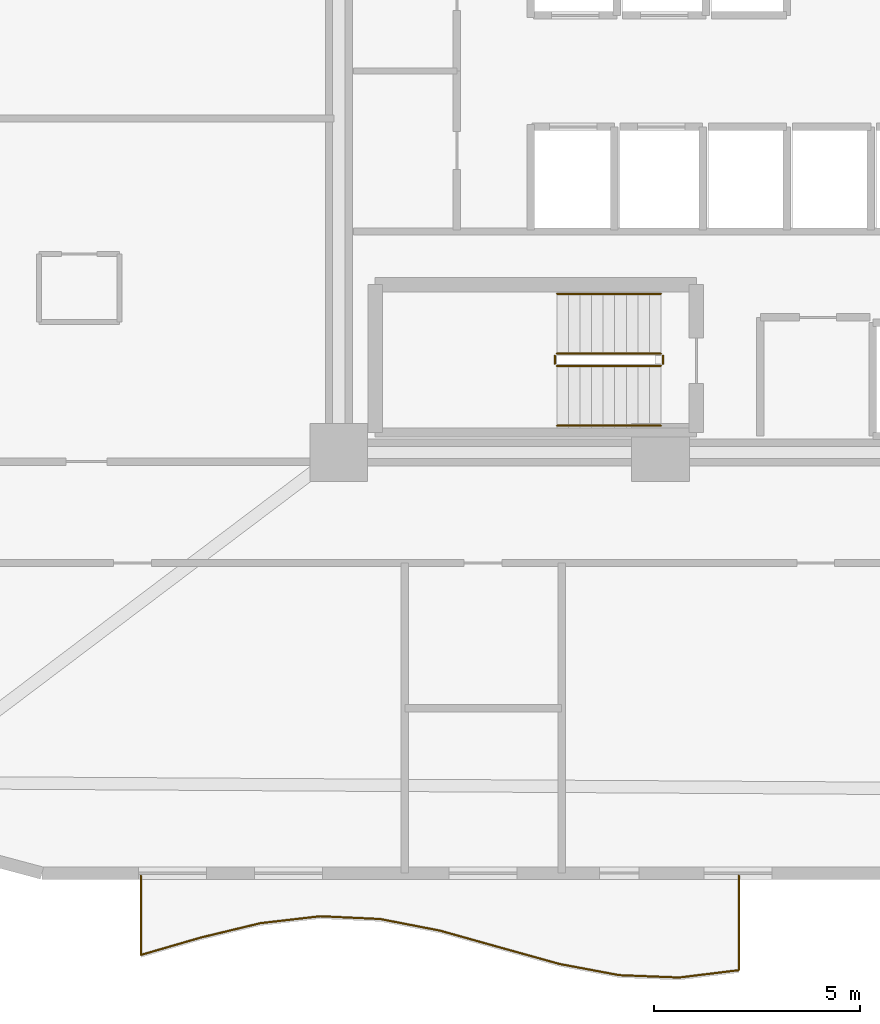
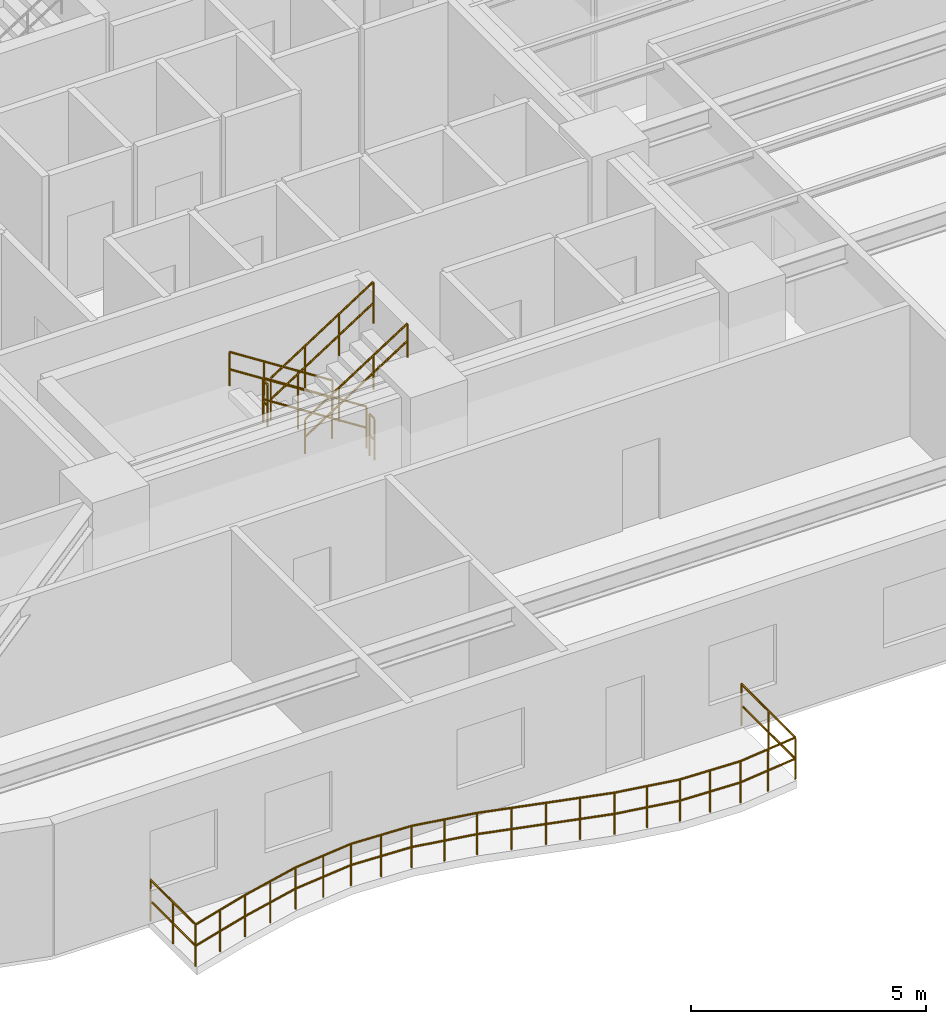
# One storey, part 12 of 14: 7 railings.
"""IFC4 building model written with IfcOpenShell, lengths in metres."""

from ifc_helpers import new_model, si_unit, direction, frame, origin, origin_2d, place, context, subcontext, project, spatial, circle, extrude, material, type_object, element, save


model = new_model("IFC4")

# Units and contexts
model_context = context("Model", 3, precision=1e-05, world=origin(), true_north=direction((0.0, 1.0)))
body_context = subcontext(model_context, "Body", "Model", "MODEL_VIEW")
ifc_project = project(units=[si_unit("LENGTHUNIT", "METRE"), si_unit("AREAUNIT", "SQUARE_METRE"), si_unit("VOLUMEUNIT", "CUBIC_METRE"), si_unit("PLANEANGLEUNIT", "RADIAN"), si_unit("MASSUNIT", "GRAM", prefix="KILO")], contexts=[model_context])

# Site, building, storey
site_placement = place(None, origin())
site = spatial("IfcSite", under=ifc_project, at=site_placement, CompositionType="ELEMENT")
building_placement = place(site_placement, origin())
building = spatial("IfcBuilding", under=site, at=building_placement, Name="An Khanh Terracotta Commons", CompositionType="ELEMENT")
storey_placement = place(building_placement, frame((0.0, 0.0, 104.300048828125)))
storey = spatial("IfcBuildingStorey", under=building, at=storey_placement, Name="L27", CompositionType="ELEMENT", Elevation=104.300048828125)

# Railings
ifc_material_1 = material(Name="Brushed Stainless Steel 316", Category="steel")
railing_type_1 = type_object("IfcRailingType", Name="RAIL-BALUSTRADE-1100", PredefinedType="BALUSTRADE", material=ifc_material_1)
railing_1_placement = place(storey_placement, frame((16.800048828125, 4.139892578125, 0.0)))
element("IfcRailing", 1, at=railing_1_placement, inside=storey, type_object=railing_type_1, Name="L27 S Wave Balcony Guard Balustrade", PredefinedType="BALUSTRADE", context=body_context, shape_type="SweptSolid", body=[
    extrude(circle(Radius=0.02392578125, at=origin_2d()), frame((0.0, 0.0, 1.076171875), z_axis=(0.0, -1.0, 0.0), x_axis=(1.0, 0.0, 0.0)), (0.0, 0.0, 1.0), 1.923828125),
    extrude(circle(Radius=0.02392578125, at=origin_2d()), frame((0.0, 0.0, 0.52587890625), z_axis=(0.0, -1.0, 0.0), x_axis=(1.0, 0.0, 0.0)), (0.0, 0.0, 1.0), 1.923828125),
    extrude(circle(Radius=0.02392578125, at=origin_2d()), frame((0.0, -1.923828125, 1.076171875), z_axis=(0.960356002851, 0.278776519434, 0.0), x_axis=(-0.278776519434, 0.960356002851, 0.0)), (0.0, 0.0, 1.0), 1.509765625),
    extrude(circle(Radius=0.02392578125, at=origin_2d()), frame((0.0, -1.923828125, 0.52587890625), z_axis=(0.960356002851, 0.278776519434, 0.0), x_axis=(-0.278776519434, 0.960356002851, 0.0)), (0.0, 0.0, 1.0), 1.509765625),
    extrude(circle(Radius=0.02392578125, at=origin_2d()), frame((1.449951171875, -1.5029296875, 1.076171875), z_axis=(0.972065470798, 0.234709864476, 0.0), x_axis=(-0.234709864476, 0.972065470798, 0.0)), (0.0, 0.0, 1.0), 1.49169921875),
    extrude(circle(Radius=0.02392578125, at=origin_2d()), frame((1.449951171875, -1.5029296875, 0.52587890625), z_axis=(0.972065470798, 0.234709864476, 0.0), x_axis=(-0.234709864476, 0.972065470798, 0.0)), (0.0, 0.0, 1.0), 1.49169921875),
    extrude(circle(Radius=0.02392578125, at=origin_2d()), frame((2.89990234375, -1.15283203125, 1.076171875), z_axis=(0.993433088968, 0.114414587111, 0.0), x_axis=(-0.114414587111, 0.993433088968, 0.0)), (0.0, 0.0, 1.0), 1.45947265625),
    extrude(circle(Radius=0.02392578125, at=origin_2d()), frame((2.89990234375, -1.15283203125, 0.52587890625), z_axis=(0.993433088968, 0.114414587111, 0.0), x_axis=(-0.114414587111, 0.993433088968, 0.0)), (0.0, 0.0, 1.0), 1.45947265625),
    extrude(circle(Radius=0.02392578125, at=origin_2d()), frame((4.349853515625, -0.98583984375, 1.076171875), z_axis=(0.99893004613, -0.046246761395, 0.0), x_axis=(0.046246761395, 0.99893004613, 0.0)), (0.0, 0.0, 1.0), 1.45166015625),
    extrude(circle(Radius=0.02392578125, at=origin_2d()), frame((4.349853515625, -0.98583984375, 0.52587890625), z_axis=(0.99893004613, -0.046246761395, 0.0), x_axis=(0.046246761395, 0.99893004613, 0.0)), (0.0, 0.0, 1.0), 1.45166015625),
    extrude(circle(Radius=0.02392578125, at=origin_2d()), frame((5.800048828125, -1.052978515625, 1.076171875), z_axis=(0.981733065227, -0.190263471641, 0.0), x_axis=(0.190263471641, 0.981733065227, 0.0)), (0.0, 0.0, 1.0), 1.47705078125),
    extrude(circle(Radius=0.02392578125, at=origin_2d()), frame((5.800048828125, -1.052978515625, 0.52587890625), z_axis=(0.981733065227, -0.190263471641, 0.0), x_axis=(0.190263471641, 0.981733065227, 0.0)), (0.0, 0.0, 1.0), 1.47705078125),
    extrude(circle(Radius=0.02392578125, at=origin_2d()), frame((7.25, -1.333984375, 1.076171875), z_axis=(0.962960651707, -0.269641953829, 0.0), x_axis=(0.269641953829, 0.962960651707, 0.0)), (0.0, 0.0, 1.0), 1.505615234375),
    extrude(circle(Radius=0.02392578125, at=origin_2d()), frame((7.25, -1.333984375, 0.52587890625), z_axis=(0.962960651707, -0.269641953829, 0.0), x_axis=(0.269641953829, 0.962960651707, 0.0)), (0.0, 0.0, 1.0), 1.505615234375),
    extrude(circle(Radius=0.02392578125, at=origin_2d()), frame((8.699951171875, -1.739990234375, 1.076171875), z_axis=(0.963506287392, -0.267685700319, 0.0), x_axis=(0.267685700319, 0.963506287392, 0.0)), (0.0, 0.0, 1.0), 1.5048828125),
    extrude(circle(Radius=0.02392578125, at=origin_2d()), frame((8.699951171875, -1.739990234375, 0.52587890625), z_axis=(0.963506287392, -0.267685700319, 0.0), x_axis=(0.267685700319, 0.963506287392, 0.0)), (0.0, 0.0, 1.0), 1.5048828125),
    extrude(circle(Radius=0.02392578125, at=origin_2d()), frame((10.14990234375, -2.142822265625, 1.076171875), z_axis=(0.982859069957, -0.18435847852, 0.0), x_axis=(0.18435847852, 0.982859069957, 0.0)), (0.0, 0.0, 1.0), 1.475341796875),
    extrude(circle(Radius=0.02392578125, at=origin_2d()), frame((10.14990234375, -2.142822265625, 0.52587890625), z_axis=(0.982859069957, -0.18435847852, 0.0), x_axis=(0.18435847852, 0.982859069957, 0.0)), (0.0, 0.0, 1.0), 1.475341796875),
    extrude(circle(Radius=0.02392578125, at=origin_2d()), frame((11.599853515625, -2.414794921875, 1.076171875), z_axis=(0.99922496073, -0.039363407544, 0.0), x_axis=(0.039363407544, 0.99922496073, 0.0)), (0.0, 0.0, 1.0), 1.451416015625),
    extrude(circle(Radius=0.02392578125, at=origin_2d()), frame((11.599853515625, -2.414794921875, 0.52587890625), z_axis=(0.99922496073, -0.039363407544, 0.0), x_axis=(0.039363407544, 0.99922496073, 0.0)), (0.0, 0.0, 1.0), 1.451416015625),
    extrude(circle(Radius=0.02392578125, at=origin_2d()), frame((13.050048828125, -2.471923828125, 1.076171875), z_axis=(0.992550548012, 0.121833532497, 0.0), x_axis=(-0.121833532497, 0.992550548012, 0.0)), (0.0, 0.0, 1.0), 1.4609375),
    extrude(circle(Radius=0.02392578125, at=origin_2d()), frame((13.050048828125, -2.471923828125, 0.52587890625), z_axis=(0.992550548012, 0.121833532497, 0.0), x_axis=(-0.121833532497, 0.992550548012, 0.0)), (0.0, 0.0, 1.0), 1.4609375),
    extrude(circle(Radius=0.02392578125, at=origin_2d()), frame((14.5, -2.2939453125, 1.076171875), z_axis=(0.0, 1.0, 0.0), x_axis=(-1.0, 0.0, 0.0)), (0.0, 0.0, 1.0), 2.2939453125),
    extrude(circle(Radius=0.02392578125, at=origin_2d()), frame((14.5, -2.2939453125, 0.52587890625), z_axis=(0.0, 1.0, 0.0), x_axis=(-1.0, 0.0, 0.0)), (0.0, 0.0, 1.0), 2.2939453125),
    extrude(circle(Radius=0.02099609375, at=origin_2d()), origin(), (0.0, 0.0, 1.0), 1.052001953125),
    extrude(circle(Radius=0.02099609375, at=origin_2d()), frame((0.0, -0.9619140625, 0.0)), (0.0, 0.0, 1.0), 1.052001953125),
    extrude(circle(Radius=0.02099609375, at=origin_2d()), frame((0.0, -1.923828125, 0.0)), (0.0, 0.0, 1.0), 1.052001953125),
    extrude(circle(Radius=0.02099609375, at=origin_2d()), frame((0.72509765625, -1.71337890625, 0.0)), (0.0, 0.0, 1.0), 1.052001953125),
    extrude(circle(Radius=0.02099609375, at=origin_2d()), frame((1.449951171875, -1.5029296875, 0.0)), (0.0, 0.0, 1.0), 1.052001953125),
    extrude(circle(Radius=0.02099609375, at=origin_2d()), frame((2.1748046875, -1.327880859375, 0.0)), (0.0, 0.0, 1.0), 1.052001953125),
    extrude(circle(Radius=0.02099609375, at=origin_2d()), frame((2.89990234375, -1.15283203125, 0.0)), (0.0, 0.0, 1.0), 1.052001953125),
    extrude(circle(Radius=0.02099609375, at=origin_2d()), frame((3.625, -1.0693359375, 0.0)), (0.0, 0.0, 1.0), 1.052001953125),
    extrude(circle(Radius=0.02099609375, at=origin_2d()), frame((4.349853515625, -0.98583984375, 0.0)), (0.0, 0.0, 1.0), 1.052001953125),
    extrude(circle(Radius=0.02099609375, at=origin_2d()), frame((5.074951171875, -1.01953125, 0.0)), (0.0, 0.0, 1.0), 1.052001953125),
    extrude(circle(Radius=0.02099609375, at=origin_2d()), frame((5.800048828125, -1.052978515625, 0.0)), (0.0, 0.0, 1.0), 1.052001953125),
    extrude(circle(Radius=0.02099609375, at=origin_2d()), frame((6.52490234375, -1.193359375, 0.0)), (0.0, 0.0, 1.0), 1.052001953125),
    extrude(circle(Radius=0.02099609375, at=origin_2d()), frame((7.25, -1.333984375, 0.0)), (0.0, 0.0, 1.0), 1.052001953125),
    extrude(circle(Radius=0.02099609375, at=origin_2d()), frame((7.97509765625, -1.537109375, 0.0)), (0.0, 0.0, 1.0), 1.052001953125),
    extrude(circle(Radius=0.02099609375, at=origin_2d()), frame((8.699951171875, -1.739990234375, 0.0)), (0.0, 0.0, 1.0), 1.052001953125),
    extrude(circle(Radius=0.02099609375, at=origin_2d()), frame((9.4248046875, -1.94140625, 0.0)), (0.0, 0.0, 1.0), 1.052001953125),
    extrude(circle(Radius=0.02099609375, at=origin_2d()), frame((10.14990234375, -2.142822265625, 0.0)), (0.0, 0.0, 1.0), 1.052001953125),
    extrude(circle(Radius=0.02099609375, at=origin_2d()), frame((10.875, -2.27880859375, 0.0)), (0.0, 0.0, 1.0), 1.052001953125),
    extrude(circle(Radius=0.02099609375, at=origin_2d()), frame((11.599853515625, -2.414794921875, 0.0)), (0.0, 0.0, 1.0), 1.052001953125),
    extrude(circle(Radius=0.02099609375, at=origin_2d()), frame((12.324951171875, -2.443359375, 0.0)), (0.0, 0.0, 1.0), 1.052001953125),
    extrude(circle(Radius=0.02099609375, at=origin_2d()), frame((13.050048828125, -2.471923828125, 0.0)), (0.0, 0.0, 1.0), 1.052001953125),
    extrude(circle(Radius=0.02099609375, at=origin_2d()), frame((13.77490234375, -2.3828125, 0.0)), (0.0, 0.0, 1.0), 1.052001953125),
    extrude(circle(Radius=0.02099609375, at=origin_2d()), frame((14.5, -2.2939453125, 0.0)), (0.0, 0.0, 1.0), 1.052001953125),
    extrude(circle(Radius=0.02099609375, at=origin_2d()), frame((14.5, -1.14697265625, 0.0)), (0.0, 0.0, 1.0), 1.052001953125),
    extrude(circle(Radius=0.02099609375, at=origin_2d()), frame((14.5, 0.0, 0.0)), (0.0, 0.0, 1.0), 1.052001953125),
])
railing_type_2 = type_object("IfcRailingType", Name="RAIL-HANDRAIL-900", PredefinedType="HANDRAIL", material=ifc_material_1)
railing_2_placement = place(storey_placement, frame((29.409912109375, 18.25, 0.179931640625)))
element("IfcRailing", 2, at=railing_2_placement, inside=storey, type_object=railing_type_2, Name="L27 ST-02 stair handrail 1", PredefinedType="HANDRAIL", context=body_context, shape_type="SweptSolid", body=[
    extrude(circle(Radius=0.02392578125, at=origin_2d()), frame((0.0, 0.0, 0.8759765625), z_axis=(-0.841162588446, 0.0, 0.540782303519), x_axis=(0.0, -1.0, 0.0)), (0.0, 0.0, 1.0), 2.995849609375),
    extrude(circle(Radius=0.02392578125, at=origin_2d()), frame((0.0, 0.0, 0.42578125), z_axis=(-0.841162588446, 0.0, 0.540782303519), x_axis=(0.0, -1.0, 0.0)), (0.0, 0.0, 1.0), 2.995849609375),
    extrude(circle(Radius=0.02099609375, at=origin_2d()), origin(), (0.0, 0.0, 1.0), 0.851806640625),
    extrude(circle(Radius=0.02099609375, at=origin_2d()), frame((-0.840087890625, 0.0, 0.5400390625)), (0.0, 0.0, 1.0), 0.851806640625),
    extrude(circle(Radius=0.02099609375, at=origin_2d()), frame((-1.679931640625, 0.0, 1.080078125)), (0.0, 0.0, 1.0), 0.851806640625),
    extrude(circle(Radius=0.02099609375, at=origin_2d()), frame((-2.52001953125, 0.0, 1.6201171875)), (0.0, 0.0, 1.0), 0.851806640625),
])
railing_3_placement = place(storey_placement, frame((26.889892578125, 15.050048828125, 1.97998046875)))
element("IfcRailing", 3, at=railing_3_placement, inside=storey, type_object=railing_type_2, Name="L27 ST-02 stair handrail 2", PredefinedType="HANDRAIL", context=body_context, shape_type="SweptSolid", body=[
    extrude(circle(Radius=0.02392578125, at=origin_2d()), frame((0.0, 0.0, 0.8759765625), z_axis=(0.841199657755, 0.0, 0.540724639528), x_axis=(0.0, 1.0, 0.0)), (0.0, 0.0, 1.0), 2.995849609375),
    extrude(circle(Radius=0.02392578125, at=origin_2d()), frame((0.0, 0.0, 0.42578125), z_axis=(0.841199657755, 0.0, 0.540724639528), x_axis=(0.0, 1.0, 0.0)), (0.0, 0.0, 1.0), 2.995849609375),
    extrude(circle(Radius=0.02099609375, at=origin_2d()), origin(), (0.0, 0.0, 1.0), 0.851806640625),
    extrude(circle(Radius=0.02099609375, at=origin_2d()), frame((0.840087890625, 0.0, 0.5400390625)), (0.0, 0.0, 1.0), 0.851806640625),
    extrude(circle(Radius=0.02099609375, at=origin_2d()), frame((1.679931640625, 0.0, 1.079833984375)), (0.0, 0.0, 1.0), 0.851806640625),
    extrude(circle(Radius=0.02099609375, at=origin_2d()), frame((2.52001953125, 0.0, 1.619873046875)), (0.0, 0.0, 1.0), 0.851806640625),
])
ifc_material_2 = material(Name="Powder-Coated Steel S355J2", Category="steel")
railing_type_3 = type_object("IfcRailingType", Name="RAIL-STAIR-GUARD-1100", PredefinedType="BALUSTRADE", material=ifc_material_2)
railing_4_placement = place(storey_placement, frame((29.409912109375, 16.800048828125, 0.179931640625)))
element("IfcRailing", 4, at=railing_4_placement, inside=storey, type_object=railing_type_3, Name="L27 ST-02 stair guard 1", PredefinedType="BALUSTRADE", context=body_context, shape_type="SweptSolid", body=[
    extrude(circle(Radius=0.02392578125, at=origin_2d()), frame((0.0, 0.0, 1.076171875), z_axis=(-0.841162588446, 0.0, 0.540782303519), x_axis=(0.0, -1.0, 0.0)), (0.0, 0.0, 1.0), 2.995849609375),
    extrude(circle(Radius=0.02392578125, at=origin_2d()), frame((0.0, 0.0, 0.52587890625), z_axis=(-0.841162588446, 0.0, 0.540782303519), x_axis=(0.0, -1.0, 0.0)), (0.0, 0.0, 1.0), 2.995849609375),
    extrude(circle(Radius=0.02099609375, at=origin_2d()), origin(), (0.0, 0.0, 1.0), 1.052001953125),
    extrude(circle(Radius=0.02099609375, at=origin_2d()), frame((-0.840087890625, 0.0, 0.5400390625)), (0.0, 0.0, 1.0), 1.052001953125),
    extrude(circle(Radius=0.02099609375, at=origin_2d()), frame((-1.679931640625, 0.0, 1.080078125)), (0.0, 0.0, 1.0), 1.052001953125),
    extrude(circle(Radius=0.02099609375, at=origin_2d()), frame((-2.52001953125, 0.0, 1.6201171875)), (0.0, 0.0, 1.0), 1.052001953125),
])
railing_5_placement = place(storey_placement, frame((26.840087890625, 16.75, 1.800048828125)))
element("IfcRailing", 5, at=railing_5_placement, inside=storey, type_object=railing_type_3, Name="L27 ST-02 stair guard 2", PredefinedType="BALUSTRADE", context=body_context, shape_type="SweptSolid", body=[
    extrude(circle(Radius=0.02392578125, at=origin_2d()), frame((0.0, 0.0, 1.076171875), z_axis=(0.0, -1.0, 0.0), x_axis=(1.0, 0.0, 0.0)), (0.0, 0.0, 1.0), 0.199951171875),
    extrude(circle(Radius=0.02392578125, at=origin_2d()), frame((0.0, 0.0, 0.52587890625), z_axis=(0.0, -1.0, 0.0), x_axis=(1.0, 0.0, 0.0)), (0.0, 0.0, 1.0), 0.199951171875),
    extrude(circle(Radius=0.02099609375, at=origin_2d()), origin(), (0.0, 0.0, 1.0), 1.052001953125),
    extrude(circle(Radius=0.02099609375, at=origin_2d()), frame((0.0, -0.199951171875, 0.0)), (0.0, 0.0, 1.0), 1.052001953125),
])
railing_6_placement = place(storey_placement, frame((26.889892578125, 16.5, 1.97998046875)))
element("IfcRailing", 6, at=railing_6_placement, inside=storey, type_object=railing_type_3, Name="L27 ST-02 stair guard 3", PredefinedType="BALUSTRADE", context=body_context, shape_type="SweptSolid", body=[
    extrude(circle(Radius=0.02392578125, at=origin_2d()), frame((0.0, 0.0, 1.076171875), z_axis=(0.841199657755, 0.0, 0.540724639528), x_axis=(0.0, 1.0, 0.0)), (0.0, 0.0, 1.0), 2.995849609375),
    extrude(circle(Radius=0.02392578125, at=origin_2d()), frame((0.0, 0.0, 0.52587890625), z_axis=(0.841199657755, 0.0, 0.540724639528), x_axis=(0.0, 1.0, 0.0)), (0.0, 0.0, 1.0), 2.995849609375),
    extrude(circle(Radius=0.02099609375, at=origin_2d()), origin(), (0.0, 0.0, 1.0), 1.052001953125),
    extrude(circle(Radius=0.02099609375, at=origin_2d()), frame((0.840087890625, 0.0, 0.5400390625)), (0.0, 0.0, 1.0), 1.052001953125),
    extrude(circle(Radius=0.02099609375, at=origin_2d()), frame((1.679931640625, 0.0, 1.079833984375)), (0.0, 0.0, 1.0), 1.052001953125),
    extrude(circle(Radius=0.02099609375, at=origin_2d()), frame((2.52001953125, 0.0, 1.619873046875)), (0.0, 0.0, 1.0), 1.052001953125),
])
railing_7_placement = place(storey_placement, frame((29.4599609375, 16.75, 0.0)))
element("IfcRailing", 7, at=railing_7_placement, inside=storey, type_object=railing_type_3, Name="L27 ST-02 stair guard 4", PredefinedType="BALUSTRADE", context=body_context, shape_type="SweptSolid", body=[
    extrude(circle(Radius=0.02392578125, at=origin_2d()), frame((0.0, 0.0, 1.076171875), z_axis=(0.0, -1.0, 0.0), x_axis=(1.0, 0.0, 0.0)), (0.0, 0.0, 1.0), 0.199951171875),
    extrude(circle(Radius=0.02392578125, at=origin_2d()), frame((0.0, 0.0, 0.52587890625), z_axis=(0.0, -1.0, 0.0), x_axis=(1.0, 0.0, 0.0)), (0.0, 0.0, 1.0), 0.199951171875),
    extrude(circle(Radius=0.02099609375, at=origin_2d()), origin(), (0.0, 0.0, 1.0), 1.052001953125),
    extrude(circle(Radius=0.02099609375, at=origin_2d()), frame((0.0, -0.199951171875, 0.0)), (0.0, 0.0, 1.0), 1.052001953125),
])

save(model, "model.ifc")
